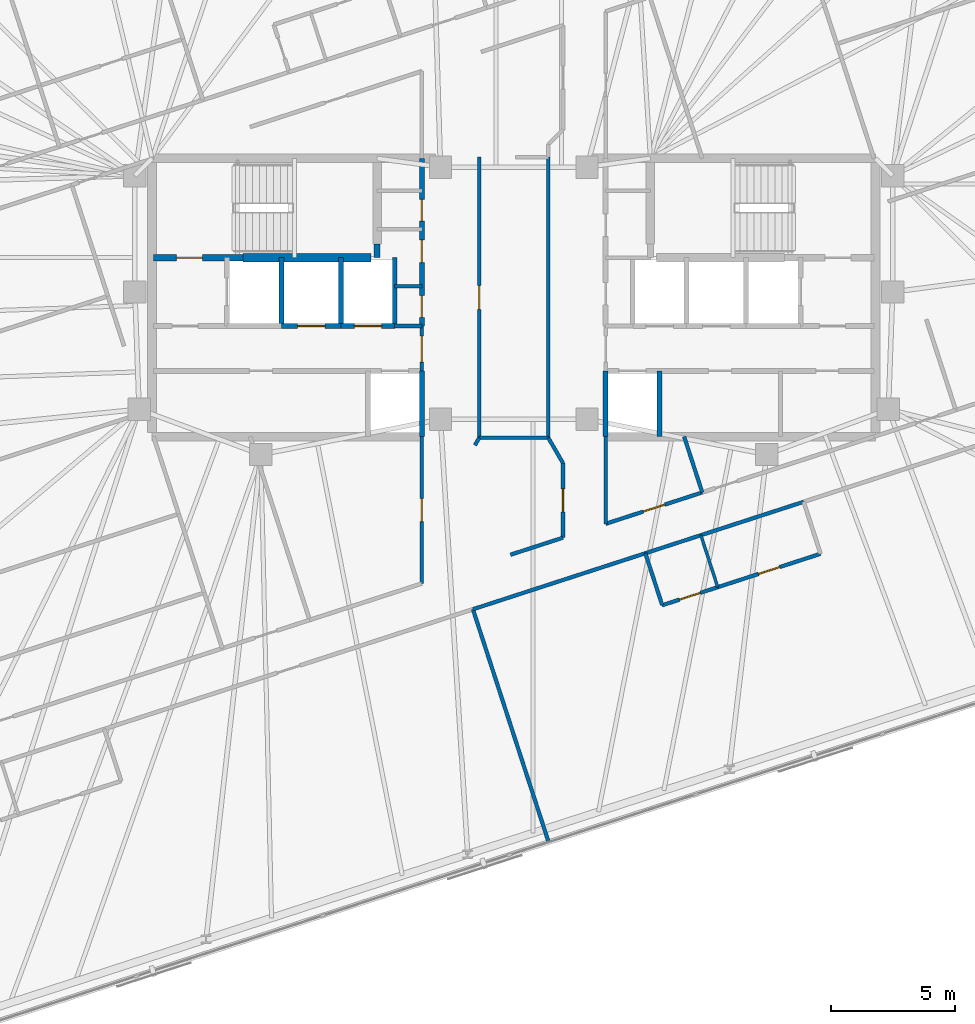
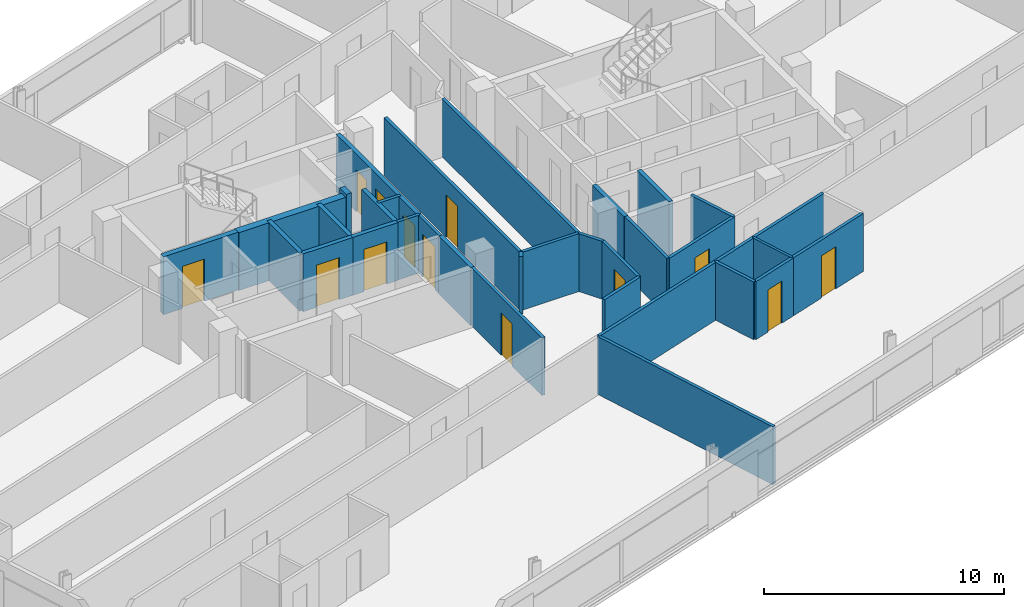
# One storey, part 14 of 19: 34 walls, 13 doors, 13 openings.
"""IFC4 building model written with IfcOpenShell, lengths in metres."""

from ifc_helpers import new_model, si_unit, direction, frame, frame_2d, origin, place, context, subcontext, project, spatial, rectangle, extrude, material, layer, layer_set, type_object, element, fill, save


model = new_model("IFC4")

# Units and contexts
model_context = context("Model", 3, precision=1e-05, world=origin(), true_north=direction((0.0, 1.0)))
body_context = subcontext(model_context, "Body", "Model", "MODEL_VIEW")
ifc_project = project(units=[si_unit("LENGTHUNIT", "METRE"), si_unit("AREAUNIT", "SQUARE_METRE"), si_unit("VOLUMEUNIT", "CUBIC_METRE"), si_unit("PLANEANGLEUNIT", "RADIAN"), si_unit("MASSUNIT", "GRAM", prefix="KILO")], contexts=[model_context])

# Site, building, storey
site_placement = place(None, origin())
site = spatial("IfcSite", under=ifc_project, at=site_placement, CompositionType="ELEMENT")
building_placement = place(site_placement, origin())
building = spatial("IfcBuilding", under=site, at=building_placement, Name="Menara Jurai Vektor", CompositionType="ELEMENT")
storey_placement = place(building_placement, frame((0.0, 0.0, 251.10009765625)))
storey = spatial("IfcBuildingStorey", under=building, at=storey_placement, Name="L67", CompositionType="ELEMENT", Elevation=251.10009765625)

# Wall, opening, door
ifc_material_1 = material(Name="Concrete C40/50", Category="concrete")
ifc_layer_1 = layer(ifc_material_1, 0.25)
ifc_layer_set_1 = layer_set([ifc_layer_1], Name="Concrete C40/50")
wall_type_1 = type_object("IfcWallType", Name="INT-WALL-CORE-250", PredefinedType="STANDARD", material=ifc_layer_set_1)
wall_1_placement = place(storey_placement, frame((-14.5, 1.60009765625, 0.0), z_axis=(0.0, 0.0, 1.0), x_axis=(1.0, 0.0, 0.0)))
wall_1 = element("IfcWall", 1, at=wall_1_placement, inside=storey, type_object=wall_type_1, Name="Interior Wall IW-250 L67", PredefinedType="STANDARD", context=body_context, shape_type="SweptSolid", body=[
    extrude(rectangle(XDim=3.60009765625, YDim=0.25, at=frame_2d((1.800048828125, 0.0))), origin(), (0.0, 0.0, 1.0), 2.949951171875),
])
opening_1_placement = place(wall_1_placement, frame((0.919921875, 0.0, 0.0)))
opening_1 = element("IfcOpeningElement", 2, at=opening_1_placement, cuts=wall_1, Name="Opening D-L67-ST1", PredefinedType="OPENING", context=body_context, shape_type="SweptSolid", body=[
    extrude(rectangle(XDim=1.050048828125, YDim=2.14990234375, at=frame_2d((0.52490234375, 1.074951171875))), frame((0.0, 0.135009765625, 0.0), z_axis=(0.0, -1.0, 0.0), x_axis=(1.0, 0.0, 0.0)), (0.0, 0.0, 1.0), 0.27001953125),
])
ifc_material_2 = material(Name="Fire-Rated Steel Door", Category="steel")
door_type_1 = type_object("IfcDoorType", Name="DR-STAIR-1050", OperationType="NOTDEFINED", PredefinedType="DOOR", material=ifc_material_2)
door_1_placement = place(opening_1_placement, origin())
door_1 = element("IfcDoor", 3, at=door_1_placement, inside=storey, type_object=door_type_1, Name="Exit Stair ST1 Door L67", OperationType="SINGLE_SWING_RIGHT", OverallHeight=2.14990234375, OverallWidth=1.050048828125, PredefinedType="DOOR", context=body_context, shape_type="SweptSolid", body=[
    extrude(rectangle(XDim=1.050048828125, YDim=2.14990234375, at=frame_2d((0.52490234375, 1.074951171875))), frame((0.0, 0.02490234375, 0.0), z_axis=(0.0, -1.0, 0.0), x_axis=(1.0, 0.0, 0.0)), (0.0, 0.0, 1.0), 0.050048828125),
])
fill(opening_1, door_1)

# Walls
wall_2_placement = place(storey_placement, frame((-5.5, 1.60009765625, 0.0), z_axis=(0.0, 0.0, 1.0), x_axis=(0.0, 1.0, 0.0)))
element("IfcWall", 4, at=wall_2_placement, inside=storey, type_object=wall_type_1, Name="Interior Wall IW-250 L67", PredefinedType="STANDARD", context=body_context, shape_type="SweptSolid", body=[
    extrude(rectangle(XDim=0.5498046875, YDim=0.25, at=frame_2d((0.27490234375, 0.0))), origin(), (0.0, 0.0, 1.0), 2.949951171875),
])
wall_3_placement = place(storey_placement, frame((-9.35009765625, -1.14990234375, 0.0), z_axis=(0.0, 0.0, 1.0), x_axis=(0.0, 1.0, 0.0)))
element("IfcWall", 5, at=wall_3_placement, inside=storey, type_object=wall_type_1, Name="Interior Wall IW-250 L67", PredefinedType="STANDARD", context=body_context, shape_type="SweptSolid", body=[
    extrude(rectangle(XDim=2.75, YDim=0.199951171875, at=frame_2d((1.375, 0.0))), origin(), (0.0, 0.0, 1.0), 2.949951171875),
])

# Wall, opening, door
ifc_material_3 = material(Name="Gypsum Fireboard Partition", Category="gypsum")
ifc_layer_2 = layer(ifc_material_3, 0.14990234375)
ifc_layer_set_2 = layer_set([ifc_layer_2], Name="Gypsum Fireboard Partition")
wall_type_2 = type_object("IfcWallType", Name="INT-WALL-CORR-150", PredefinedType="PARTITIONING", material=ifc_layer_set_2)
wall_4_placement = place(storey_placement, frame((-3.699951171875, -2.949951171875, 0.0), z_axis=(0.0, 0.0, 1.0), x_axis=(0.0, 1.0, 0.0)))
wall_4 = element("IfcWall", 6, at=wall_4_placement, inside=storey, type_object=wall_type_2, Name="Interior Wall IW-150 L67", PredefinedType="PARTITIONING", context=body_context, shape_type="SweptSolid", body=[
    extrude(rectangle(XDim=1.800048828125, YDim=0.14990234375, at=frame_2d((0.89990234375, 0.0))), origin(), (0.0, 0.0, 1.0), 2.949951171875),
])
opening_2_placement = place(wall_4_placement, frame((0.35009765625, 0.0, 0.0)))
opening_2 = element("IfcOpeningElement", 7, at=opening_2_placement, cuts=wall_4, Name="Opening D-L67-LLW", PredefinedType="OPENING", context=body_context, shape_type="SweptSolid", body=[
    extrude(rectangle(XDim=1.050048828125, YDim=2.179931640625, at=frame_2d((0.52490234375, 1.08984375))), frame((0.0, 0.0849609375, 0.0), z_axis=(0.0, -1.0, 0.0), x_axis=(1.0, 0.0, 0.0)), (0.0, 0.0, 1.0), 0.169921875),
])
ifc_material_4 = material(Name="Fire-Rated Timber Door", Category="wood")
door_type_2 = type_object("IfcDoorType", Name="DR-LOBBY-1050", OperationType="NOTDEFINED", PredefinedType="DOOR", material=ifc_material_4)
door_2_placement = place(opening_2_placement, origin())
door_2 = element("IfcDoor", 8, at=door_2_placement, inside=storey, type_object=door_type_2, Name="Lift Lobby Corridor Door W L67", OperationType="SINGLE_SWING_LEFT", OverallHeight=2.179931640625, OverallWidth=1.050048828125, PredefinedType="DOOR", context=body_context, shape_type="SweptSolid", body=[
    extrude(rectangle(XDim=1.050048828125, YDim=2.179931640625, at=frame_2d((0.52490234375, 1.08984375))), frame((0.0, 0.02490234375, 0.0), z_axis=(0.0, -1.0, 0.0), x_axis=(1.0, 0.0, 0.0)), (0.0, 0.0, 1.0), 0.050048828125),
])
fill(opening_2, door_2)

# Walls
for number, where, z_axis, x_axis, name in (
    (9, (-4.7900390625, -1.14990234375, 0.0), (0.0, 0.0, 1.0), (1.0, 0.0, 0.0), "Interior Wall IW-150 L67"),
    (10, (-4.7900390625, 0.449951171875, 0.0), (0.0, 0.0, 1.0), (1.0, 0.0, 0.0), "Interior Wall IW-150 L67"),
):
    element("IfcWall", number, at=place(storey_placement, frame(where, z_axis=z_axis, x_axis=x_axis)), inside=storey, type_object=wall_type_2, Name=name, PredefinedType="PARTITIONING", context=body_context, shape_type="SweptSolid", body=[
        extrude(rectangle(XDim=1.090087890625, YDim=0.14990234375, at=frame_2d((0.544921875, 0.0))), origin(), (0.0, 0.0, 1.0), 2.949951171875),
    ])

# Wall, opening, door
wall_5_placement = place(storey_placement, frame((-1.390625, -5.650146484375, 0.0), z_axis=(0.0, 0.0, 1.0), x_axis=(-8.6422954e-05, 0.999999996266, 0.0)))
wall_5 = element("IfcWall", 11, at=wall_5_placement, inside=storey, type_object=wall_type_2, Name="Interior Wall IW-150 L67", PredefinedType="PARTITIONING", context=body_context, shape_type="SweptSolid", body=[
    extrude(rectangle(XDim=11.2998046875, YDim=0.14990234375, at=frame_2d((5.64990234375, 0.0))), origin(), (0.0, 0.0, 1.0), 2.949951171875),
])
opening_3_placement = place(wall_5_placement, frame((5.1748046875, 0.0, 0.0)))
opening_3 = element("IfcOpeningElement", 12, at=opening_3_placement, cuts=wall_5, Name="Opening D67-09", PredefinedType="OPENING", context=body_context, shape_type="SweptSolid", body=[
    extrude(rectangle(XDim=0.949951171875, YDim=2.14990234375, at=frame_2d((0.47509765625, 1.074951171875))), frame((0.0, 0.0849609375, 0.0), z_axis=(0.0, -1.0, 0.0), x_axis=(1.0, 0.0, 0.0)), (0.0, 0.0, 1.0), 0.169921875),
])
ifc_material_5 = material(Name="Solid Core Timber Fire Door", Category="wood")
door_type_3 = type_object("IfcDoorType", Name="DR-ENTRY-950", OperationType="NOTDEFINED", PredefinedType="DOOR", material=ifc_material_5)
door_3_placement = place(opening_3_placement, origin())
door_3 = element("IfcDoor", 13, at=door_3_placement, inside=storey, type_object=door_type_3, Name="Interior Door D67-09", OperationType="SINGLE_SWING_LEFT", OverallHeight=2.14990234375, OverallWidth=0.949951171875, PredefinedType="DOOR", context=body_context, shape_type="SweptSolid", body=[
    extrude(rectangle(XDim=0.949951171875, YDim=2.14990234375, at=frame_2d((0.47509765625, 1.074951171875))), frame((0.0, 0.02490234375, 0.0), z_axis=(0.0, -1.0, 0.0), x_axis=(1.0, 0.0, 0.0)), (0.0, 0.0, 1.0), 0.050048828125),
])
fill(opening_3, door_3)

# Walls
wall_6_placement = place(storey_placement, frame((1.39111328125, -5.6484375, 0.0), z_axis=(0.0, 0.0, 1.0), x_axis=(-4.3218947e-05, 0.999999999066, 0.0)))
element("IfcWall", 14, at=wall_6_placement, inside=storey, type_object=wall_type_2, Name="Interior Wall IW-150 L67", PredefinedType="PARTITIONING", context=body_context, shape_type="SweptSolid", body=[
    extrude(rectangle(XDim=11.2978515625, YDim=0.14990234375, at=frame_2d((5.64892578125, 0.0))), origin(), (0.0, 0.0, 1.0), 2.949951171875),
])
wall_7_placement = place(storey_placement, frame((-1.643310546875, -12.548828125, 0.0), z_axis=(0.0, 0.0, 1.0), x_axis=(0.951058161173, 0.309011931914, 0.0)))
element("IfcWall", 15, at=wall_7_placement, inside=storey, type_object=wall_type_2, Name="Interior Wall IW-150 L67", PredefinedType="PARTITIONING", context=body_context, shape_type="SweptSolid", body=[
    extrude(rectangle(XDim=7.297119140625, YDim=0.14990234375, at=frame_2d((3.6484375, 0.0))), origin(), (0.0, 0.0, 1.0), 2.949951171875),
])
wall_8_placement = place(storey_placement, frame((5.296630859375, -10.2939453125, 0.0), z_axis=(0.0, 0.0, 1.0), x_axis=(0.951066131077, 0.308987401554, 0.0)))
element("IfcWall", 16, at=wall_8_placement, inside=storey, type_object=wall_type_2, Name="Interior Wall IW-150 L67", PredefinedType="PARTITIONING", context=body_context, shape_type="SweptSolid", body=[
    extrude(rectangle(XDim=2.349853515625, YDim=0.14990234375, at=frame_2d((1.1748046875, 0.0))), origin(), (0.0, 0.0, 1.0), 2.949951171875),
])
wall_9_placement = place(storey_placement, frame((7.531494140625, -9.56787109375, 0.0), z_axis=(0.0, 0.0, 1.0), x_axis=(0.951041492154, 0.309063230101, 0.0)))
element("IfcWall", 17, at=wall_9_placement, inside=storey, type_object=wall_type_2, Name="Interior Wall IW-150 L67", PredefinedType="PARTITIONING", context=body_context, shape_type="SweptSolid", body=[
    extrude(rectangle(XDim=4.35009765625, YDim=0.14990234375, at=frame_2d((2.175048828125, 0.0))), origin(), (0.0, 0.0, 1.0), 2.949951171875),
])
wall_10_placement = place(storey_placement, frame((3.700439453125, -9.109130859375, 0.0), z_axis=(0.0, 0.0, 1.0), x_axis=(-0.000139130433, 0.999999990321, 0.0)))
element("IfcWall", 18, at=wall_10_placement, inside=storey, type_object=wall_type_2, Name="Interior Wall IW-150 L67", PredefinedType="PARTITIONING", context=body_context, shape_type="SweptSolid", body=[
    extrude(rectangle(XDim=3.509521484375, YDim=0.14990234375, at=frame_2d((1.7548828125, 0.0))), origin(), (0.0, 0.0, 1.0), 2.949951171875),
])

# Wall, opening, door
wall_11_placement = place(storey_placement, frame((3.700439453125, -9.109130859375, 0.0), z_axis=(0.0, 0.0, 1.0), x_axis=(0.95106259184, 0.308998295145, 0.0)))
wall_11 = element("IfcWall", 19, at=wall_11_placement, inside=storey, type_object=wall_type_2, Name="Interior Wall IW-150 L67", PredefinedType="PARTITIONING", context=body_context, shape_type="SweptSolid", body=[
    extrude(rectangle(XDim=4.087890625, YDim=0.14990234375, at=frame_2d((2.0439453125, 0.0))), origin(), (0.0, 0.0, 1.0), 2.949951171875),
])
opening_4_placement = place(wall_11_placement, frame((1.583984375, 0.0, 0.0)))
opening_4 = element("IfcOpeningElement", 20, at=opening_4_placement, cuts=wall_11, Name="Opening D67-32", PredefinedType="OPENING", context=body_context, shape_type="SweptSolid", body=[
    extrude(rectangle(XDim=0.919921875, YDim=2.14990234375, at=frame_2d((0.4599609375, 1.074951171875))), frame((0.0, 0.0849609375, 0.0), z_axis=(0.0, -1.0, 0.0), x_axis=(1.0, 0.0, 0.0)), (0.0, 0.0, 1.0), 0.169921875),
])
door_4_placement = place(opening_4_placement, origin())
door_4 = element("IfcDoor", 21, at=door_4_placement, inside=storey, type_object=door_type_3, Name="Interior Door D67-32", OperationType="SINGLE_SWING_RIGHT", OverallHeight=2.14990234375, OverallWidth=0.919921875, PredefinedType="DOOR", context=body_context, shape_type="SweptSolid", body=[
    extrude(rectangle(XDim=0.919921875, YDim=2.14990234375, at=frame_2d((0.4599609375, 1.074951171875))), frame((0.0, 0.02490234375, 0.0), z_axis=(0.0, -1.0, 0.0), x_axis=(1.0, 0.0, 0.0)), (0.0, 0.0, 1.0), 0.050048828125),
])
fill(opening_4, door_4)

# Walls
wall_12_placement = place(storey_placement, frame((-0.12939453125, -10.353515625, 0.0), z_axis=(0.0, 0.0, 1.0), x_axis=(0.951066420845, 0.308986509643, 0.0)))
element("IfcWall", 22, at=wall_12_placement, inside=storey, type_object=wall_type_2, Name="Interior Wall IW-150 L67", PredefinedType="PARTITIONING", context=body_context, shape_type="SweptSolid", body=[
    extrude(rectangle(XDim=2.218017578125, YDim=0.14990234375, at=frame_2d((1.10888671875, 0.0))), origin(), (0.0, 0.0, 1.0), 2.949951171875),
])
wall_13_placement = place(storey_placement, frame((-1.5625, -5.943603515625, 0.0), z_axis=(0.0, 0.0, 1.0), x_axis=(0.505387839696, 0.862892305845, 0.0)))
element("IfcWall", 23, at=wall_13_placement, inside=storey, type_object=wall_type_2, Name="Interior Wall IW-150 L67", PredefinedType="PARTITIONING", context=body_context, shape_type="SweptSolid", body=[
    extrude(rectangle(XDim=0.340087890625, YDim=0.14990234375, at=frame_2d((0.169921875, 0.0))), origin(), (0.0, 0.0, 1.0), 2.949951171875),
])

# Wall, opening, door
wall_14_placement = place(storey_placement, frame((1.97998046875, -9.668212890625, 0.0), z_axis=(0.0, 0.0, 1.0), x_axis=(8.1241368e-05, 0.9999999967, 0.0)))
wall_14 = element("IfcWall", 24, at=wall_14_placement, inside=storey, type_object=wall_type_2, Name="Interior Wall IW-150 L67", PredefinedType="PARTITIONING", context=body_context, shape_type="SweptSolid", body=[
    extrude(rectangle(XDim=3.005126953125, YDim=0.14990234375, at=frame_2d((1.50244140625, 0.0))), origin(), (0.0, 0.0, 1.0), 2.949951171875),
])
opening_5_placement = place(wall_14_placement, frame((1.04248046875, 0.0, 0.0)))
opening_5 = element("IfcOpeningElement", 25, at=opening_5_placement, cuts=wall_14, Name="Opening D67-34", PredefinedType="OPENING", context=body_context, shape_type="SweptSolid", body=[
    extrude(rectangle(XDim=0.919921875, YDim=2.14990234375, at=frame_2d((0.4599609375, 1.074951171875))), frame((0.0, 0.0849609375, 0.0), z_axis=(0.0, -1.0, 0.0), x_axis=(1.0, 0.0, 0.0)), (0.0, 0.0, 1.0), 0.169921875),
])
door_5_placement = place(opening_5_placement, origin())
door_5 = element("IfcDoor", 26, at=door_5_placement, inside=storey, type_object=door_type_3, Name="Interior Door D67-34", OperationType="SINGLE_SWING_RIGHT", OverallHeight=2.14990234375, OverallWidth=0.919921875, PredefinedType="DOOR", context=body_context, shape_type="SweptSolid", body=[
    extrude(rectangle(XDim=0.919921875, YDim=2.14990234375, at=frame_2d((0.4599609375, 1.074951171875))), frame((0.0, 0.02490234375, 0.0), z_axis=(0.0, -1.0, 0.0), x_axis=(1.0, 0.0, 0.0)), (0.0, 0.0, 1.0), 0.050048828125),
])
fill(opening_5, door_5)

# Wall
wall_15_placement = place(storey_placement, frame((1.391357421875, -5.6494140625, 0.0), z_axis=(0.0, 0.0, 1.0), x_axis=(0.502522642426, -0.864564048437, 0.0)))
element("IfcWall", 27, at=wall_15_placement, inside=storey, type_object=wall_type_2, Name="Interior Wall IW-150 L67", PredefinedType="PARTITIONING", context=body_context, shape_type="SweptSolid", body=[
    extrude(rectangle(XDim=1.17138671875, YDim=0.14990234375, at=frame_2d((0.585693359375, 0.0))), origin(), (0.0, 0.0, 1.0), 2.949951171875),
])

# Wall, opening, door
wall_16_placement = place(storey_placement, frame((-3.69970703125, -11.513671875, 0.0), z_axis=(0.0, 0.0, 1.0), x_axis=(-8.2572974e-05, 0.999999996591, 0.0)))
wall_16 = element("IfcWall", 28, at=wall_16_placement, inside=storey, type_object=wall_type_2, Name="Interior Wall IW-150 L67", PredefinedType="PARTITIONING", context=body_context, shape_type="SweptSolid", body=[
    extrude(rectangle(XDim=5.913330078125, YDim=0.14990234375, at=frame_2d((2.95654296875, 0.0))), origin(), (0.0, 0.0, 1.0), 2.949951171875),
])
opening_6_placement = place(wall_16_placement, frame((2.49658203125, 0.0, 0.0)))
opening_6 = element("IfcOpeningElement", 29, at=opening_6_placement, cuts=wall_16, Name="Opening D67-37", PredefinedType="OPENING", context=body_context, shape_type="SweptSolid", body=[
    extrude(rectangle(XDim=0.919921875, YDim=2.14990234375, at=frame_2d((0.4599609375, 1.074951171875))), frame((0.0, 0.0849609375, 0.0), z_axis=(0.0, -1.0, 0.0), x_axis=(1.0, 0.0, 0.0)), (0.0, 0.0, 1.0), 0.169921875),
])
door_6_placement = place(opening_6_placement, origin())
door_6 = element("IfcDoor", 30, at=door_6_placement, inside=storey, type_object=door_type_3, Name="Interior Door D67-37", OperationType="SINGLE_SWING_LEFT", OverallHeight=2.14990234375, OverallWidth=0.919921875, PredefinedType="DOOR", context=body_context, shape_type="SweptSolid", body=[
    extrude(rectangle(XDim=0.919921875, YDim=2.14990234375, at=frame_2d((0.4599609375, 1.074951171875))), frame((0.0, 0.02490234375, 0.0), z_axis=(0.0, -1.0, 0.0), x_axis=(1.0, 0.0, 0.0)), (0.0, 0.0, 1.0), 0.050048828125),
])
fill(opening_6, door_6)

# Walls
wall_17_placement = place(storey_placement, frame((-1.390625, -5.650146484375, 0.0), z_axis=(0.0, 0.0, 1.0), x_axis=(0.999999965344, 0.000263273356, 0.0)))
element("IfcWall", 31, at=wall_17_placement, inside=storey, type_object=wall_type_2, Name="Interior Wall IW-150 L67", PredefinedType="PARTITIONING", context=body_context, shape_type="SweptSolid", body=[
    extrude(rectangle(XDim=2.781982421875, YDim=0.14990234375, at=frame_2d((1.39111328125, 0.0))), origin(), (0.0, 0.0, 1.0), 2.949951171875),
])
wall_18_placement = place(storey_placement, frame((1.404296875, -21.92822265625, 0.0), z_axis=(0.0, 0.0, 1.0), x_axis=(-0.309022258842, 0.95105480575, 0.0)))
element("IfcWall", 32, at=wall_18_placement, inside=storey, type_object=wall_type_2, Name="Interior Wall IW-150 L67", PredefinedType="PARTITIONING", context=body_context, shape_type="SweptSolid", body=[
    extrude(rectangle(XDim=9.862060546875, YDim=0.14990234375, at=frame_2d((4.93115234375, 0.0))), origin(), (0.0, 0.0, 1.0), 2.949951171875),
])
wall_19_placement = place(storey_placement, frame((5.9765625, -12.38623046875, 0.0), z_axis=(0.0, 0.0, 1.0), x_axis=(-0.309060979314, 0.951042223598, 0.0)))
element("IfcWall", 33, at=wall_19_placement, inside=storey, type_object=wall_type_2, Name="Interior Wall IW-150 L67", PredefinedType="PARTITIONING", context=body_context, shape_type="SweptSolid", body=[
    extrude(rectangle(XDim=2.199951171875, YDim=0.14990234375, at=frame_2d((1.10009765625, 0.0))), origin(), (0.0, 0.0, 1.0), 2.949951171875),
])

# Wall, opening, door
wall_20_placement = place(storey_placement, frame((5.9765625, -12.38623046875, 0.0), z_axis=(0.0, 0.0, 1.0), x_axis=(0.951066131077, 0.308987401554, 0.0)))
wall_20 = element("IfcWall", 34, at=wall_20_placement, inside=storey, type_object=wall_type_2, Name="Interior Wall IW-150 L67", PredefinedType="PARTITIONING", context=body_context, shape_type="SweptSolid", body=[
    extrude(rectangle(XDim=2.349853515625, YDim=0.14990234375, at=frame_2d((1.1748046875, 0.0))), origin(), (0.0, 0.0, 1.0), 2.949951171875),
])
opening_7_placement = place(wall_20_placement, frame((0.735107421875, 0.0, 0.0)))
opening_7 = element("IfcOpeningElement", 35, at=opening_7_placement, cuts=wall_20, Name="Opening D67-23", PredefinedType="OPENING", context=body_context, shape_type="SweptSolid", body=[
    extrude(rectangle(XDim=0.8798828125, YDim=2.14990234375, at=frame_2d((0.43994140625, 1.074951171875))), frame((0.0, 0.0849609375, 0.0), z_axis=(0.0, -1.0, 0.0), x_axis=(1.0, 0.0, 0.0)), (0.0, 0.0, 1.0), 0.169921875),
])
ifc_material_6 = material(Name="Moisture-Resistant Timber Door", Category="wood")
door_type_4 = type_object("IfcDoorType", Name="DR-BATH-880", OperationType="NOTDEFINED", PredefinedType="DOOR", material=ifc_material_6)
door_7_placement = place(opening_7_placement, origin())
door_7 = element("IfcDoor", 36, at=door_7_placement, inside=storey, type_object=door_type_4, Name="Interior Door D67-23", OperationType="SINGLE_SWING_LEFT", OverallHeight=2.14990234375, OverallWidth=0.8798828125, PredefinedType="DOOR", context=body_context, shape_type="SweptSolid", body=[
    extrude(rectangle(XDim=0.8798828125, YDim=2.14990234375, at=frame_2d((0.43994140625, 1.074951171875))), frame((0.0, 0.02490234375, 0.0), z_axis=(0.0, -1.0, 0.0), x_axis=(1.0, 0.0, 0.0)), (0.0, 0.0, 1.0), 0.050048828125),
])
fill(opening_7, door_7)

wall_21_placement = place(storey_placement, frame((8.21142578125, -11.66015625, 0.0), z_axis=(0.0, 0.0, 1.0), x_axis=(0.951057987102, 0.309012467661, 0.0)))
wall_21 = element("IfcWall", 37, at=wall_21_placement, inside=storey, type_object=wall_type_2, Name="Interior Wall IW-150 L67", PredefinedType="PARTITIONING", context=body_context, shape_type="SweptSolid", body=[
    extrude(rectangle(XDim=4.35009765625, YDim=0.14990234375, at=frame_2d((2.175048828125, 0.0))), origin(), (0.0, 0.0, 1.0), 2.949951171875),
])
opening_8_placement = place(wall_21_placement, frame((1.72509765625, 0.0, 0.0)))
opening_8 = element("IfcOpeningElement", 38, at=opening_8_placement, cuts=wall_21, Name="Opening D67-24", PredefinedType="OPENING", context=body_context, shape_type="SweptSolid", body=[
    extrude(rectangle(XDim=0.89990234375, YDim=2.14990234375, at=frame_2d((0.449951171875, 1.074951171875))), frame((0.0, 0.0849609375, 0.0), z_axis=(0.0, -1.0, 0.0), x_axis=(1.0, 0.0, 0.0)), (0.0, 0.0, 1.0), 0.169921875),
])
ifc_material_7 = material(Name="Acoustic Timber Interior Door", Category="wood")
door_type_5 = type_object("IfcDoorType", Name="DR-ROOM-900", OperationType="NOTDEFINED", PredefinedType="DOOR", material=ifc_material_7)
door_8_placement = place(opening_8_placement, origin())
door_8 = element("IfcDoor", 39, at=door_8_placement, inside=storey, type_object=door_type_5, Name="Interior Door D67-24", OperationType="SINGLE_SWING_RIGHT", OverallHeight=2.14990234375, OverallWidth=0.89990234375, PredefinedType="DOOR", context=body_context, shape_type="SweptSolid", body=[
    extrude(rectangle(XDim=0.89990234375, YDim=2.14990234375, at=frame_2d((0.449951171875, 1.074951171875))), frame((0.0, 0.02490234375, 0.0), z_axis=(0.0, -1.0, 0.0), x_axis=(1.0, 0.0, 0.0)), (0.0, 0.0, 1.0), 0.050048828125),
])
fill(opening_8, door_8)

# Walls
wall_22_placement = place(storey_placement, frame((7.58837890625, -7.845947265625, 0.0), z_axis=(0.0, 0.0, 1.0), x_axis=(-0.309055688452, 0.951043942957, 0.0)))
element("IfcWall", 40, at=wall_22_placement, inside=storey, type_object=wall_type_2, Name="Interior Wall IW-150 L67", PredefinedType="PARTITIONING", context=body_context, shape_type="SweptSolid", body=[
    extrude(rectangle(XDim=2.362060546875, YDim=0.14990234375, at=frame_2d((1.18115234375, 0.0))), origin(), (0.0, 0.0, 1.0), 2.949951171875),
])
ifc_material_8 = material(Name="Gypsum Acoustic Stud Partition", Category="gypsum")
ifc_layer_3 = layer(ifc_material_8, 0.1201171875)
ifc_layer_set_3 = layer_set([ifc_layer_3], Name="Gypsum Acoustic Stud Partition")
wall_type_3 = type_object("IfcWallType", Name="INT-WALL-PART-120", PredefinedType="PARTITIONING", material=ifc_layer_set_3)
wall_23_placement = place(storey_placement, frame((8.21142578125, -11.66015625, 0.0), z_axis=(0.0, 0.0, 1.0), x_axis=(-0.309060979314, 0.951042223598, 0.0)))
element("IfcWall", 41, at=wall_23_placement, inside=storey, type_object=wall_type_3, Name="Interior Wall IW-120 L67", PredefinedType="PARTITIONING", context=body_context, shape_type="SweptSolid", body=[
    extrude(rectangle(XDim=2.199951171875, YDim=0.1201171875, at=frame_2d((1.10009765625, 0.0))), origin(), (0.0, 0.0, 1.0), 2.949951171875),
])

# Wall, openings, doors
ifc_layer_4 = layer(ifc_material_1, 0.199951171875)
ifc_layer_set_4 = layer_set([ifc_layer_4], Name="Concrete C40/50")
wall_type_4 = type_object("IfcWallType", Name="INT-WALL-SHAFT-200", PredefinedType="STANDARD", material=ifc_layer_set_4)
wall_24_placement = place(storey_placement, frame((-3.699951171875, -1.14990234375, 0.0), z_axis=(0.0, 0.0, 1.0), x_axis=(0.0, 1.0, 0.0)))
wall_24 = element("IfcWall", 42, at=wall_24_placement, inside=storey, type_object=wall_type_4, Name="Interior Wall IW-200 L67", PredefinedType="STANDARD", context=body_context, shape_type="SweptSolid", body=[
    extrude(rectangle(XDim=6.75, YDim=0.199951171875, at=frame_2d((3.375, 0.0))), origin(), (0.0, 0.0, 1.0), 2.949951171875),
])
opening_9_placement = place(wall_24_placement, frame((0.35009765625, 0.0, 0.0)))
opening_9 = element("IfcOpeningElement", 43, at=opening_9_placement, cuts=wall_24, Name="Opening D67-02", PredefinedType="OPENING", context=body_context, shape_type="SweptSolid", body=[
    extrude(rectangle(XDim=0.8798828125, YDim=2.14990234375, at=frame_2d((0.43994140625, 1.074951171875))), frame((0.0, 0.10986328125, 0.0), z_axis=(0.0, -1.0, 0.0), x_axis=(1.0, 0.0, 0.0)), (0.0, 0.0, 1.0), 0.219970703125),
])
opening_10_placement = place(wall_24_placement, frame((2.550048828125, 0.0, 0.0)))
opening_10 = element("IfcOpeningElement", 44, at=opening_10_placement, cuts=wall_24, Name="Opening D67-03", PredefinedType="OPENING", context=body_context, shape_type="SweptSolid", body=[
    extrude(rectangle(XDim=0.919921875, YDim=2.14990234375, at=frame_2d((0.4599609375, 1.074951171875))), frame((0.0, 0.10986328125, 0.0), z_axis=(0.0, -1.0, 0.0), x_axis=(1.0, 0.0, 0.0)), (0.0, 0.0, 1.0), 0.219970703125),
])
opening_11_placement = place(wall_24_placement, frame((4.219970703125, 0.0, 0.0)))
opening_11 = element("IfcOpeningElement", 45, at=opening_11_placement, cuts=wall_24, Name="Opening D67-04", PredefinedType="OPENING", context=body_context, shape_type="SweptSolid", body=[
    extrude(rectangle(XDim=0.8798828125, YDim=2.14990234375, at=frame_2d((0.43994140625, 1.074951171875))), frame((0.0, 0.10986328125, 0.0), z_axis=(0.0, -1.0, 0.0), x_axis=(1.0, 0.0, 0.0)), (0.0, 0.0, 1.0), 0.219970703125),
])
door_9_placement = place(opening_9_placement, origin())
door_9 = element("IfcDoor", 46, at=door_9_placement, inside=storey, type_object=door_type_3, Name="Interior Door D67-02", OperationType="SINGLE_SWING_LEFT", OverallHeight=2.14990234375, OverallWidth=0.8798828125, PredefinedType="DOOR", context=body_context, shape_type="SweptSolid", body=[
    extrude(rectangle(XDim=0.8798828125, YDim=2.14990234375, at=frame_2d((0.43994140625, 1.074951171875))), frame((0.0, 0.02490234375, 0.0), z_axis=(0.0, -1.0, 0.0), x_axis=(1.0, 0.0, 0.0)), (0.0, 0.0, 1.0), 0.050048828125),
])
fill(opening_9, door_9)
door_10_placement = place(opening_10_placement, origin())
door_10 = element("IfcDoor", 47, at=door_10_placement, inside=storey, type_object=door_type_3, Name="Interior Door D67-03", OperationType="SINGLE_SWING_LEFT", OverallHeight=2.14990234375, OverallWidth=0.919921875, PredefinedType="DOOR", context=body_context, shape_type="SweptSolid", body=[
    extrude(rectangle(XDim=0.919921875, YDim=2.14990234375, at=frame_2d((0.4599609375, 1.074951171875))), frame((0.0, 0.02490234375, 0.0), z_axis=(0.0, -1.0, 0.0), x_axis=(1.0, 0.0, 0.0)), (0.0, 0.0, 1.0), 0.050048828125),
])
fill(opening_10, door_10)
door_11_placement = place(opening_11_placement, origin())
door_11 = element("IfcDoor", 48, at=door_11_placement, inside=storey, type_object=door_type_3, Name="Interior Door D67-04", OperationType="SINGLE_SWING_LEFT", OverallHeight=2.14990234375, OverallWidth=0.8798828125, PredefinedType="DOOR", context=body_context, shape_type="SweptSolid", body=[
    extrude(rectangle(XDim=0.8798828125, YDim=2.14990234375, at=frame_2d((0.43994140625, 1.074951171875))), frame((0.0, 0.02490234375, 0.0), z_axis=(0.0, -1.0, 0.0), x_axis=(1.0, 0.0, 0.0)), (0.0, 0.0, 1.0), 0.050048828125),
])
fill(opening_11, door_11)

# Walls
wall_25_placement = place(storey_placement, frame((-3.699951171875, -5.60009765625, 0.0), z_axis=(0.0, 0.0, 1.0), x_axis=(0.0, 1.0, 0.0)))
element("IfcWall", 49, at=wall_25_placement, inside=storey, type_object=wall_type_4, Name="Interior Wall IW-200 L67", PredefinedType="STANDARD", context=body_context, shape_type="SweptSolid", body=[
    extrude(rectangle(XDim=2.650146484375, YDim=0.199951171875, at=frame_2d((1.3251953125, 0.0))), origin(), (0.0, 0.0, 1.0), 2.949951171875),
])
wall_26_placement = place(storey_placement, frame((-6.949951171875, -1.14990234375, 0.0), z_axis=(0.0, 0.0, 1.0), x_axis=(0.0, 1.0, 0.0)))
element("IfcWall", 50, at=wall_26_placement, inside=storey, type_object=wall_type_4, Name="Interior Wall IW-200 L67", PredefinedType="STANDARD", context=body_context, shape_type="SweptSolid", body=[
    extrude(rectangle(XDim=2.75, YDim=0.199951171875, at=frame_2d((1.375, 0.0))), origin(), (0.0, 0.0, 1.0), 2.949951171875),
])

# Wall, opening, door
wall_27_placement = place(storey_placement, frame((-9.35009765625, -1.14990234375, 0.0), z_axis=(0.0, 0.0, 1.0), x_axis=(1.0, 0.0, 0.0)))
wall_27 = element("IfcWall", 51, at=wall_27_placement, inside=storey, type_object=wall_type_4, Name="Interior Wall IW-200 L67", PredefinedType="STANDARD", context=body_context, shape_type="SweptSolid", body=[
    extrude(rectangle(XDim=2.400146484375, YDim=0.199951171875, at=frame_2d((1.2001953125, 0.0))), origin(), (0.0, 0.0, 1.0), 2.949951171875),
])
opening_12_placement = place(wall_27_placement, frame((0.64990234375, 0.0, 0.0)))
opening_12 = element("IfcOpeningElement", 52, at=opening_12_placement, cuts=wall_27, Name="Opening LD-L67-SVL1", PredefinedType="OPENING", context=body_context, shape_type="SweptSolid", body=[
    extrude(rectangle(XDim=1.10009765625, YDim=2.14990234375, at=frame_2d((0.550048828125, 1.074951171875))), frame((0.0, 0.10986328125, 0.0), z_axis=(0.0, -1.0, 0.0), x_axis=(1.0, 0.0, 0.0)), (0.0, 0.0, 1.0), 0.219970703125),
])
ifc_material_9 = material(Name="Anodised Stainless Sliding Lift Landing Door", Category="steel")
door_type_6 = type_object("IfcDoorType", Name="DR-LIFT-PASS-1100", OperationType="NOTDEFINED", PredefinedType="DOOR", material=ifc_material_9)
door_12_placement = place(opening_12_placement, origin())
door_12 = element("IfcDoor", 53, at=door_12_placement, inside=storey, type_object=door_type_6, Name="Lift Landing Door SVL1 L67", OperationType="SLIDING_TO_RIGHT", OverallHeight=2.14990234375, OverallWidth=1.10009765625, PredefinedType="DOOR", context=body_context, shape_type="SweptSolid", body=[
    extrude(rectangle(XDim=1.10009765625, YDim=2.14990234375, at=frame_2d((0.550048828125, 1.074951171875))), frame((0.0, 0.02490234375, 0.0), z_axis=(0.0, -1.0, 0.0), x_axis=(1.0, 0.0, 0.0)), (0.0, 0.0, 1.0), 0.050048828125),
])
fill(opening_12, door_12)

# Wall
wall_28_placement = place(storey_placement, frame((-4.7900390625, -1.14990234375, 0.0), z_axis=(0.0, 0.0, 1.0), x_axis=(0.0, 1.0, 0.0)))
element("IfcWall", 54, at=wall_28_placement, inside=storey, type_object=wall_type_4, Name="Interior Wall IW-200 L67", PredefinedType="STANDARD", context=body_context, shape_type="SweptSolid", body=[
    extrude(rectangle(XDim=2.75, YDim=0.199951171875, at=frame_2d((1.375, 0.0))), origin(), (0.0, 0.0, 1.0), 2.949951171875),
])

# Wall, opening, door
wall_29_placement = place(storey_placement, frame((-6.949951171875, -1.14990234375, 0.0), z_axis=(0.0, 0.0, 1.0), x_axis=(1.0, 0.0, 0.0)))
wall_29 = element("IfcWall", 55, at=wall_29_placement, inside=storey, type_object=wall_type_4, Name="Interior Wall IW-200 L67", PredefinedType="STANDARD", context=body_context, shape_type="SweptSolid", body=[
    extrude(rectangle(XDim=2.159912109375, YDim=0.199951171875, at=frame_2d((1.080078125, 0.0))), origin(), (0.0, 0.0, 1.0), 2.949951171875),
])
opening_13_placement = place(wall_29_placement, frame((0.530029296875, 0.0, 0.0)))
opening_13 = element("IfcOpeningElement", 56, at=opening_13_placement, cuts=wall_29, Name="Opening LD-L67-PH2", PredefinedType="OPENING", context=body_context, shape_type="SweptSolid", body=[
    extrude(rectangle(XDim=1.10009765625, YDim=2.14990234375, at=frame_2d((0.550048828125, 1.074951171875))), frame((0.0, 0.10986328125, 0.0), z_axis=(0.0, -1.0, 0.0), x_axis=(1.0, 0.0, 0.0)), (0.0, 0.0, 1.0), 0.219970703125),
])
door_13_placement = place(opening_13_placement, origin())
door_13 = element("IfcDoor", 57, at=door_13_placement, inside=storey, type_object=door_type_6, Name="Lift Landing Door PH2 L67", OperationType="SLIDING_TO_RIGHT", OverallHeight=2.14990234375, OverallWidth=1.10009765625, PredefinedType="DOOR", context=body_context, shape_type="SweptSolid", body=[
    extrude(rectangle(XDim=1.10009765625, YDim=2.14990234375, at=frame_2d((0.550048828125, 1.074951171875))), frame((0.0, 0.02490234375, 0.0), z_axis=(0.0, -1.0, 0.0), x_axis=(1.0, 0.0, 0.0)), (0.0, 0.0, 1.0), 0.050048828125),
])
fill(opening_13, door_13)

# Walls
for number, where, z_axis, x_axis, name in (
    (58, (3.699951171875, -5.60009765625, 0.0), (0.0, 0.0, 1.0), (0.0, 1.0, 0.0), "Interior Wall IW-200 L67"),
    (59, (5.860107421875, -5.60009765625, 0.0), (0.0, 0.0, 1.0), (0.0, 1.0, 0.0), "Interior Wall IW-200 L67"),
):
    element("IfcWall", number, at=place(storey_placement, frame(where, z_axis=z_axis, x_axis=x_axis)), inside=storey, type_object=wall_type_4, Name=name, PredefinedType="STANDARD", context=body_context, shape_type="SweptSolid", body=[
        extrude(rectangle(XDim=2.650146484375, YDim=0.199951171875, at=frame_2d((1.3251953125, 0.0))), origin(), (0.0, 0.0, 1.0), 2.949951171875),
    ])
ifc_material_10 = material(Name="Concrete C50/60", Category="concrete")
ifc_layer_5 = layer(ifc_material_10, 0.35009765625)
ifc_layer_set_5 = layer_set([ifc_layer_5], Name="Concrete C50/60")
wall_type_5 = type_object("IfcWallType", Name="STR-WALL-CORE350", PredefinedType="SHEAR", material=ifc_layer_set_5)
wall_30_placement = place(storey_placement, frame((-10.89990234375, 1.60009765625, 0.0), z_axis=(0.0, 0.0, 1.0), x_axis=(1.0, 0.0, 0.0)))
element("IfcWall", 60, at=wall_30_placement, inside=storey, type_object=wall_type_5, Name="Core Shear Wall CW-W-STS L67", PredefinedType="SHEAR", context=body_context, shape_type="SweptSolid", body=[
    extrude(rectangle(XDim=5.14990234375, YDim=0.35009765625, at=frame_2d((2.574951171875, 0.0))), origin(), (0.0, 0.0, 1.0), 2.949951171875),
])

save(model, "model.ifc")
